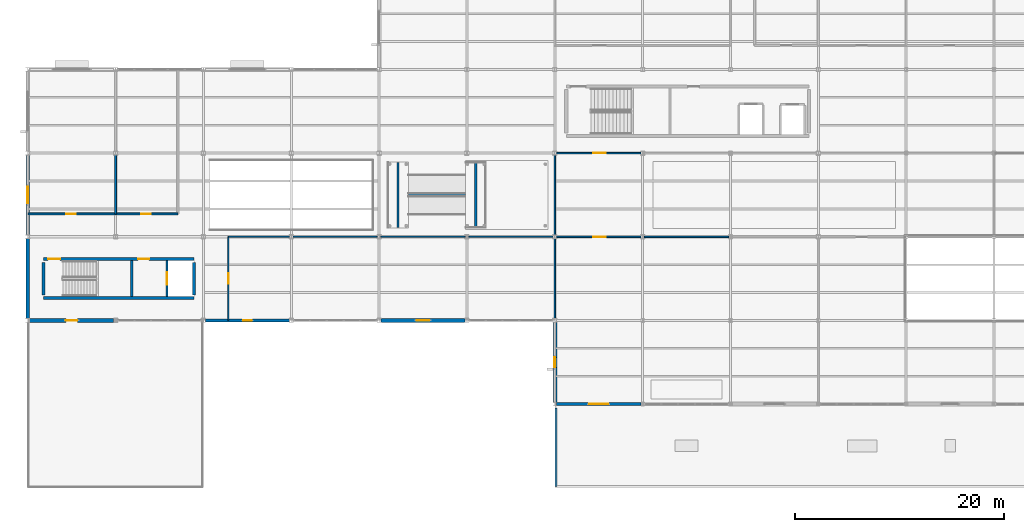
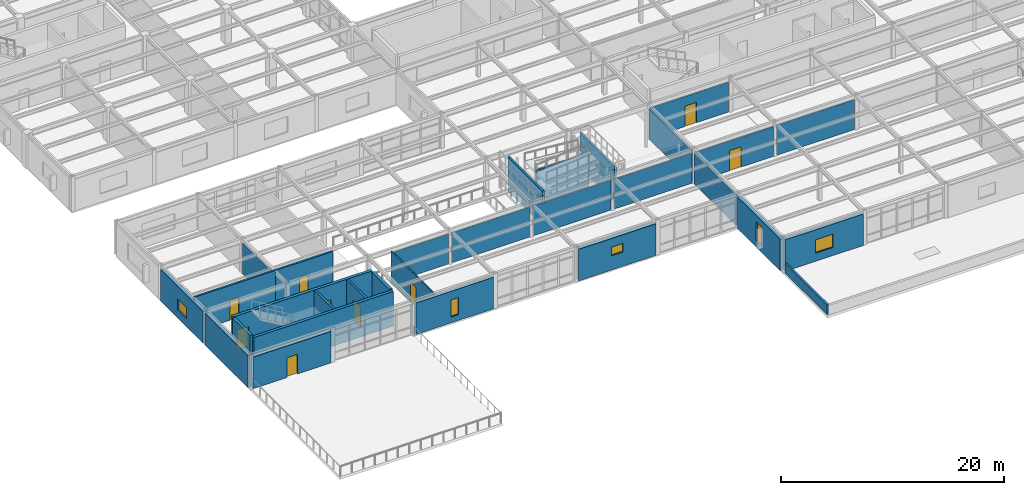
# One storey, part 68 of 138: 30 walls, 9 doors, 5 windows, 14 openings.
"""IFC4 building model written with IfcOpenShell, lengths in metres."""

from ifc_helpers import new_model, si_unit, direction, frame, frame_2d, origin, place, context, subcontext, project, spatial, rectangle, extrude, material, layer, layer_set, type_object, element, fill, save


model = new_model("IFC4")

# Units and contexts
model_context = context("Model", 3, precision=1e-05, world=origin(), true_north=direction((0.0, 1.0)))
body_context = subcontext(model_context, "Body", "Model", "MODEL_VIEW")
ifc_project = project(units=[si_unit("LENGTHUNIT", "METRE"), si_unit("AREAUNIT", "SQUARE_METRE"), si_unit("VOLUMEUNIT", "CUBIC_METRE"), si_unit("PLANEANGLEUNIT", "RADIAN"), si_unit("MASSUNIT", "GRAM", prefix="KILO")], contexts=[model_context])

# Site, building, storey
site_placement = place(None, origin())
site = spatial("IfcSite", under=ifc_project, at=site_placement, CompositionType="ELEMENT")
building_placement = place(site_placement, origin())
building = spatial("IfcBuilding", under=site, at=building_placement, Name="Kranzveld Transit Interchange", CompositionType="ELEMENT")
storey_placement = place(building_placement, frame((0.0, 0.0, 5.43994140625)))
storey = spatial("IfcBuildingStorey", under=building, at=storey_placement, Name="L01", CompositionType="ELEMENT", Elevation=5.43994140625)

# Wall, opening, door
ifc_material_1 = material(Name="Clay masonry unit wall, 20 MPa", Category="masonry")
ifc_layer_1 = layer(ifc_material_1, 0.139892578125)
ifc_layer_set_1 = layer_set([ifc_layer_1], Name="Clay masonry unit wall, 20 MPa")
wall_type_1 = type_object("IfcWallType", Name="Acoustic Stud Partition 140", PredefinedType="PARTITIONING", material=ifc_layer_set_1)
wall_1_placement = place(storey_placement, frame((50.577392578125, 32.0, 0.0), z_axis=(0.0, 0.0, 1.0), x_axis=(1.0, 0.0, 0.0)))
wall_1 = element("IfcWall", 1, at=wall_1_placement, inside=storey, type_object=wall_type_1, Name="L01 Partition IW-L01-L01V2N-FRT-131-0", PredefinedType="PARTITIONING", context=body_context, shape_type="SweptSolid", body=[
    extrude(rectangle(XDim=8.04541015625, YDim=0.139892578125, at=frame_2d((4.022705078125, 0.0))), origin(), (0.0, 0.0, 1.0), 3.260498046875),
])
opening_1_placement = place(wall_1_placement, frame((4.70263671875, 0.0, 0.0), z_axis=(0.0, 0.0, 1.0), x_axis=(-1.0, 0.0, 0.0)))
opening_1 = element("IfcOpeningElement", 2, at=opening_1_placement, cuts=wall_1, Name="Opening D-131", PredefinedType="OPENING", context=body_context, shape_type="SweptSolid", body=[
    extrude(rectangle(XDim=1.179931640625, YDim=2.219970703125, at=frame_2d((0.58984375, 1.10986328125))), frame((0.0, 0.079833984375, 0.0), z_axis=(0.0, -1.0, 0.0), x_axis=(1.0, 0.0, 0.0)), (0.0, 0.0, 1.0), 0.159912109375),
])
ifc_material_2 = material(Name="Bronze-anodised thermally broken aluminium", Category="aluminium")
door_type_1 = type_object("IfcDoorType", Name="Boardroom Acoustic Door 1180x2220", OperationType="NOTDEFINED", PredefinedType="DOOR", material=ifc_material_2)
door_1_placement = place(opening_1_placement, origin())
door_1 = element("IfcDoor", 3, at=door_1_placement, inside=storey, type_object=door_type_1, Name="L01 Interior Door D-131", OperationType="SINGLE_SWING_LEFT", OverallHeight=2.219970703125, OverallWidth=1.179931640625, PredefinedType="DOOR", context=body_context, shape_type="SweptSolid", body=[
    extrude(rectangle(XDim=1.179931640625, YDim=2.219970703125, at=frame_2d((0.58984375, 1.10986328125))), frame((0.0, 0.02490234375, 0.0), z_axis=(0.0, -1.0, 0.0), x_axis=(1.0, 0.0, 0.0)), (0.0, 0.0, 1.0), 0.050048828125),
])
fill(opening_1, door_1)

wall_2_placement = place(storey_placement, frame((50.577392578125, 24.0, 0.0), z_axis=(0.0, 0.0, 1.0), x_axis=(1.0, 0.0, 0.0)))
wall_2 = element("IfcWall", 4, at=wall_2_placement, inside=storey, type_object=wall_type_1, Name="L01 Partition IW-L01-L01V2S-FRT-109-0", PredefinedType="PARTITIONING", context=body_context, shape_type="SweptSolid", body=[
    extrude(rectangle(XDim=8.04541015625, YDim=0.139892578125, at=frame_2d((4.022705078125, 0.0))), origin(), (0.0, 0.0, 1.0), 3.260498046875),
])
opening_2_placement = place(wall_2_placement, frame((4.70263671875, 0.0, 0.0), z_axis=(0.0, 0.0, 1.0), x_axis=(-1.0, 0.0, 0.0)))
opening_2 = element("IfcOpeningElement", 5, at=opening_2_placement, cuts=wall_2, Name="Opening D-109", PredefinedType="OPENING", context=body_context, shape_type="SweptSolid", body=[
    extrude(rectangle(XDim=1.179931640625, YDim=2.219970703125, at=frame_2d((0.58984375, 1.10986328125))), frame((0.0, 0.079833984375, 0.0), z_axis=(0.0, -1.0, 0.0), x_axis=(1.0, 0.0, 0.0)), (0.0, 0.0, 1.0), 0.159912109375),
])
door_2_placement = place(opening_2_placement, origin())
door_2 = element("IfcDoor", 6, at=door_2_placement, inside=storey, type_object=door_type_1, Name="L01 Interior Door D-109", OperationType="SINGLE_SWING_LEFT", OverallHeight=2.219970703125, OverallWidth=1.179931640625, PredefinedType="DOOR", context=body_context, shape_type="SweptSolid", body=[
    extrude(rectangle(XDim=1.179931640625, YDim=2.219970703125, at=frame_2d((0.58984375, 1.10986328125))), frame((0.0, 0.02490234375, 0.0), z_axis=(0.0, -1.0, 0.0), x_axis=(1.0, 0.0, 0.0)), (0.0, 0.0, 1.0), 0.050048828125),
])
fill(opening_2, door_2)

# Walls
wall_3_placement = place(storey_placement, frame((58.977294921875, 24.0, 0.0), z_axis=(0.0, 0.0, 1.0), x_axis=(1.0, 0.0, 0.0)))
element("IfcWall", 7, at=wall_3_placement, inside=storey, type_object=wall_type_1, Name="L01 Partition IW-L01-L01V2N-BCK-131-1", PredefinedType="PARTITIONING", context=body_context, shape_type="SweptSolid", body=[
    extrude(rectangle(XDim=8.04541015625, YDim=0.139892578125, at=frame_2d((4.022705078125, 0.0))), origin(), (0.0, 0.0, 1.0), 3.260498046875),
])
for number, where, z_axis, x_axis, name in (
    (8, (50.39990234375, 24.17724609375, 0.0), (0.0, 0.0, 1.0), (0.0, 1.0, 0.0), "L01 Partition IW-L01-L01V2N-W-131-0"),
    (9, (50.39990234375, 16.17724609375, 0.0), (0.0, 0.0, 1.0), (0.0, 1.0, 0.0), "L01 Partition IW-L01-L01V2S-W-109-1"),
):
    element("IfcWall", number, at=place(storey_placement, frame(where, z_axis=z_axis, x_axis=x_axis)), inside=storey, type_object=wall_type_1, Name=name, PredefinedType="PARTITIONING", context=body_context, shape_type="SweptSolid", body=[
        extrude(rectangle(XDim=7.6455078125, YDim=0.139892578125, at=frame_2d((3.82275390625, 0.0))), origin(), (0.0, 0.0, 1.0), 3.336669921875),
    ])
ifc_material_3 = material(Name="Concrete C40/50", Category="concrete")
ifc_layer_2 = layer(ifc_material_3, 0.300048828125)
ifc_layer_set_2 = layer_set([ifc_layer_2], Name="Concrete C40/50")
wall_type_2 = type_object("IfcWallType", Name="Core Shear Wall RC 300 C40/50", PredefinedType="SHEAR", material=ifc_layer_set_2)
wall_4_placement = place(storey_placement, frame((1.5, 18.139892578125, 0.0), z_axis=(0.0, 0.0, 1.0), x_axis=(1.0, 0.0, 0.0)))
element("IfcWall", 10, at=wall_4_placement, inside=storey, type_object=wall_type_2, Name="L01 Cycle Hub Core C7 Shear Wall S", PredefinedType="SHEAR", context=body_context, shape_type="SweptSolid", body=[
    extrude(rectangle(XDim=14.39990234375, YDim=0.300048828125, at=frame_2d((7.199951171875, 0.0))), origin(), (0.0, 0.0, 1.0), 3.800048828125),
])

# Wall, openings, doors
wall_5_placement = place(storey_placement, frame((1.5, 21.860107421875, 0.0), z_axis=(0.0, 0.0, 1.0), x_axis=(1.0, 0.0, 0.0)))
wall_5 = element("IfcWall", 11, at=wall_5_placement, inside=storey, type_object=wall_type_2, Name="L01 Cycle Hub Core C7 Shear Wall N", PredefinedType="SHEAR", context=body_context, shape_type="SweptSolid", body=[
    extrude(rectangle(XDim=14.39990234375, YDim=0.300048828125, at=frame_2d((7.199951171875, 0.0))), origin(), (0.0, 0.0, 1.0), 3.800048828125),
])
opening_3_placement = place(wall_5_placement, frame((0.449951171875, 0.0, 0.0), z_axis=(0.0, 0.0, 1.0), x_axis=(1.0, 0.0, 0.0)))
opening_3 = element("IfcOpeningElement", 12, at=opening_3_placement, cuts=wall_5, Name="Opening D-ST-C7-L01", PredefinedType="OPENING", context=body_context, shape_type="SweptSolid", body=[
    extrude(rectangle(XDim=1.14990234375, YDim=2.14990234375, at=frame_2d((0.574951171875, 1.074951171875))), frame((0.0, 0.159912109375, 0.0), z_axis=(0.0, -1.0, 0.0), x_axis=(1.0, 0.0, 0.0)), (0.0, 0.0, 1.0), 0.320068359375),
])
opening_4_placement = place(wall_5_placement, frame((9.050048828125, 0.0, 0.0), z_axis=(0.0, 0.0, 1.0), x_axis=(1.0, 0.0, 0.0)))
opening_4 = element("IfcOpeningElement", 13, at=opening_4_placement, cuts=wall_5, Name="Opening D-LB-C7-L01", PredefinedType="OPENING", context=body_context, shape_type="SweptSolid", body=[
    extrude(rectangle(XDim=1.050048828125, YDim=2.14990234375, at=frame_2d((0.52490234375, 1.074951171875))), frame((0.0, 0.159912109375, 0.0), z_axis=(0.0, -1.0, 0.0), x_axis=(1.0, 0.0, 0.0)), (0.0, 0.0, 1.0), 0.320068359375),
])
ifc_material_4 = material(Name="Steel S355JR", Category="steel")
door_type_2 = type_object("IfcDoorType", Name="Lift Lobby Fire Door 1050x2150 FD120S", OperationType="NOTDEFINED", PredefinedType="DOOR", material=ifc_material_4)
door_3_placement = place(opening_4_placement, origin())
door_3 = element("IfcDoor", 14, at=door_3_placement, inside=storey, type_object=door_type_2, Name="L01 Cycle Hub Core C7 Lift Protected Lobby Door", OperationType="SINGLE_SWING_RIGHT", OverallHeight=2.14990234375, OverallWidth=1.050048828125, PredefinedType="DOOR", context=body_context, shape_type="SweptSolid", body=[
    extrude(rectangle(XDim=1.050048828125, YDim=2.14990234375, at=frame_2d((0.52490234375, 1.074951171875))), frame((0.0, 0.02490234375, 0.0), z_axis=(0.0, -1.0, 0.0), x_axis=(1.0, 0.0, 0.0)), (0.0, 0.0, 1.0), 0.050048828125),
])
fill(opening_4, door_3)
ifc_material_5 = material(Name="Steel S355JR", Category="steel")
door_type_3 = type_object("IfcDoorType", Name="Stair Core Fire Door 1150x2150 FD120S", OperationType="NOTDEFINED", PredefinedType="DOOR", material=ifc_material_5)
door_4_placement = place(opening_3_placement, origin())
door_4 = element("IfcDoor", 15, at=door_4_placement, inside=storey, type_object=door_type_3, Name="L01 ST-CY1 Protected Stair Door", OperationType="SINGLE_SWING_RIGHT", OverallHeight=2.14990234375, OverallWidth=1.14990234375, PredefinedType="DOOR", context=body_context, shape_type="SweptSolid", body=[
    extrude(rectangle(XDim=1.14990234375, YDim=2.14990234375, at=frame_2d((0.574951171875, 1.074951171875))), frame((0.0, 0.02490234375, 0.0), z_axis=(0.0, -1.0, 0.0), x_axis=(1.0, 0.0, 0.0)), (0.0, 0.0, 1.0), 0.050048828125),
])
fill(opening_3, door_4)

# Walls
for number, where, z_axis, x_axis, name in (
    (16, (1.5, 18.43994140625, 0.0), (0.0, 0.0, 1.0), (0.0, 1.0, 0.0), "L01 Cycle Hub Core C7 Shear Wall W"),
    (17, (15.89990234375, 18.43994140625, 0.0), (0.0, 0.0, 1.0), (0.0, 1.0, 0.0), "L01 Cycle Hub Core C7 Shear Wall E"),
):
    element("IfcWall", number, at=place(storey_placement, frame(where, z_axis=z_axis, x_axis=x_axis)), inside=storey, type_object=wall_type_2, Name=name, PredefinedType="SHEAR", context=body_context, shape_type="SweptSolid", body=[
        extrude(rectangle(XDim=3.1201171875, YDim=0.300048828125, at=frame_2d((1.56005859375, 0.0))), origin(), (0.0, 0.0, 1.0), 3.800048828125),
    ])

# Wall, opening, window
ifc_material_6 = material(Name="Pretoria red-purple clinker clay face brick, 35 MPa", Category="masonry")
ifc_layer_3 = layer(ifc_material_6, 0.3798828125)
ifc_layer_set_3 = layer_set([ifc_layer_3], Name="Pretoria red-purple clinker clay face brick, 35 MPa")
wall_type_3 = type_object("IfcWallType", Name="Exterior Cavity Wall Red Clinker 380", PredefinedType="SOLIDWALL", material=ifc_layer_set_3)
wall_6_placement = place(storey_placement, frame((50.39990234375, 8.160400390625, 0.0), z_axis=(0.0, 0.0, 1.0), x_axis=(0.0, 1.0, 0.0)))
wall_6 = element("IfcWall", 18, at=wall_6_placement, inside=storey, type_object=wall_type_3, Name="L01 Clinker Facade Wall 07/B-07/C", PredefinedType="SOLIDWALL", context=body_context, shape_type="SweptSolid", body=[
    extrude(rectangle(XDim=7.65234375, YDim=0.3798828125, at=frame_2d((3.826171875, 0.0))), origin(), (0.0, 0.0, 1.0), 3.442138671875),
])
opening_5_placement = place(wall_6_placement, frame((3.351318359375, 0.0, 0.64990234375), z_axis=(0.0, 0.0, 1.0), x_axis=(1.0, 0.0, 0.0)))
opening_5 = element("IfcOpeningElement", 19, at=opening_5_placement, cuts=wall_6, Name="Opening W-17", PredefinedType="OPENING", context=body_context, shape_type="SweptSolid", body=[
    extrude(rectangle(XDim=0.949951171875, YDim=2.10009765625, at=frame_2d((0.47509765625, 1.050048828125))), frame((0.0, 0.199951171875, 0.0), z_axis=(0.0, -1.0, 0.0), x_axis=(1.0, 0.0, 0.0)), (0.0, 0.0, 1.0), 0.39990234375),
])
ifc_material_7 = material(Name="Solar-control double glazing", Category="glass")
window_type_1 = type_object("IfcWindowType", Name="Window Ladder Slot 950x2100", PartitioningType="SINGLE_PANEL", PredefinedType="WINDOW", material=ifc_material_7)
window_1_placement = place(opening_5_placement, origin())
window_1 = element("IfcWindow", 20, at=window_1_placement, inside=storey, type_object=window_type_1, Name="L01 Facade Window 07/B", OverallHeight=2.10009765625, OverallWidth=0.949951171875, PartitioningType="SINGLE_PANEL", PredefinedType="WINDOW", context=body_context, shape_type="SweptSolid", body=[
    extrude(rectangle(XDim=0.949951171875, YDim=2.10009765625, at=frame_2d((0.47509765625, 1.050048828125))), frame((0.0, 0.030029296875, 0.0), z_axis=(0.0, -1.0, 0.0), x_axis=(1.0, 0.0, 0.0)), (0.0, 0.0, 1.0), 0.06005859375),
])
fill(opening_5, window_1)

# Wall, opening, door
wall_7_placement = place(storey_placement, frame((0.187255859375, 16.0, 0.0), z_axis=(0.0, 0.0, 1.0), x_axis=(1.0, 0.0, 0.0)))
wall_7 = element("IfcWall", 21, at=wall_7_placement, inside=storey, type_object=wall_type_3, Name="L01 Clinker Facade Wall 01/C-02/C", PredefinedType="SOLIDWALL", context=body_context, shape_type="SweptSolid", body=[
    extrude(rectangle(XDim=8.025390625, YDim=0.3798828125, at=frame_2d((4.0126953125, 0.0))), origin(), (0.0, 0.0, 1.0), 3.449951171875),
])
opening_6_placement = place(wall_7_placement, frame((4.562744140625, 0.0, 0.0), z_axis=(0.0, 0.0, 1.0), x_axis=(-1.0, 0.0, 0.0)))
opening_6 = element("IfcOpeningElement", 22, at=opening_6_placement, cuts=wall_7, Name="Opening ED-L01-15", PredefinedType="OPENING", context=body_context, shape_type="SweptSolid", body=[
    extrude(rectangle(XDim=1.10009765625, YDim=2.14990234375, at=frame_2d((0.550048828125, 1.074951171875))), frame((0.0, 0.199951171875, 0.0), z_axis=(0.0, -1.0, 0.0), x_axis=(1.0, 0.0, 0.0)), (0.0, 0.0, 1.0), 0.39990234375),
])
ifc_material_8 = material(Name="Bronze-anodised thermally broken aluminium", Category="aluminium")
door_type_4 = type_object("IfcDoorType", Name="Terrace Single Access Door 1100x2150", OperationType="NOTDEFINED", PredefinedType="DOOR", material=ifc_material_8)
door_5_placement = place(opening_6_placement, origin())
door_5 = element("IfcDoor", 23, at=door_5_placement, inside=storey, type_object=door_type_4, Name="L01 Terrace Door TERR_L01_SW", OperationType="SINGLE_SWING_LEFT", OverallHeight=2.14990234375, OverallWidth=1.10009765625, PredefinedType="DOOR", context=body_context, shape_type="SweptSolid", body=[
    extrude(rectangle(XDim=1.10009765625, YDim=2.14990234375, at=frame_2d((0.550048828125, 1.074951171875))), frame((0.0, 0.02490234375, 0.0), z_axis=(0.0, -1.0, 0.0), x_axis=(1.0, 0.0, 0.0)), (0.0, 0.0, 1.0), 0.050048828125),
])
fill(opening_6, door_5)

# Wall, opening, window
wall_8_placement = place(storey_placement, frame((33.787353515625, 16.0, 0.0), z_axis=(0.0, 0.0, 1.0), x_axis=(1.0, 0.0, 0.0)))
wall_8 = element("IfcWall", 24, at=wall_8_placement, inside=storey, type_object=wall_type_3, Name="L01 Clinker Facade Wall 05/C-06/C", PredefinedType="SOLIDWALL", context=body_context, shape_type="SweptSolid", body=[
    extrude(rectangle(XDim=8.025390625, YDim=0.3798828125, at=frame_2d((4.0126953125, 0.0))), origin(), (0.0, 0.0, 1.0), 3.449951171875),
])
opening_7_placement = place(wall_8_placement, frame((3.41259765625, 0.0, 1.550048828125), z_axis=(0.0, 0.0, 1.0), x_axis=(1.0, 0.0, 0.0)))
opening_7 = element("IfcOpeningElement", 25, at=opening_7_placement, cuts=wall_8, Name="Opening W-19", PredefinedType="OPENING", context=body_context, shape_type="SweptSolid", body=[
    extrude(rectangle(XDim=1.199951171875, YDim=0.949951171875, at=frame_2d((0.60009765625, 0.47509765625))), frame((0.0, 0.199951171875, 0.0), z_axis=(0.0, -1.0, 0.0), x_axis=(1.0, 0.0, 0.0)), (0.0, 0.0, 1.0), 0.39990234375),
])
ifc_material_9 = material(Name="Solar-control double glazing", Category="glass")
window_type_2 = type_object("IfcWindowType", Name="Window Sanitary Frosted 1200x950", PartitioningType="SINGLE_PANEL", PredefinedType="WINDOW", material=ifc_material_9)
window_2_placement = place(opening_7_placement, origin())
window_2 = element("IfcWindow", 26, at=window_2_placement, inside=storey, type_object=window_type_2, Name="L01 Facade Window 05/C", OverallHeight=0.949951171875, OverallWidth=1.199951171875, PartitioningType="SINGLE_PANEL", PredefinedType="WINDOW", context=body_context, shape_type="SweptSolid", body=[
    extrude(rectangle(XDim=1.199951171875, YDim=0.949951171875, at=frame_2d((0.60009765625, 0.47509765625))), frame((0.0, 0.030029296875, 0.0), z_axis=(0.0, -1.0, 0.0), x_axis=(1.0, 0.0, 0.0)), (0.0, 0.0, 1.0), 0.06005859375),
])
fill(opening_7, window_2)

# Wall
wall_9_placement = place(storey_placement, frame((0.0, 16.187255859375, 0.0), z_axis=(0.0, 0.0, 1.0), x_axis=(0.0, 1.0, 0.0)))
element("IfcWall", 27, at=wall_9_placement, inside=storey, type_object=wall_type_3, Name="L01 Clinker Facade Wall 01/C-01/D", PredefinedType="SOLIDWALL", context=body_context, shape_type="SweptSolid", body=[
    extrude(rectangle(XDim=7.62548828125, YDim=0.3798828125, at=frame_2d((3.812744140625, 0.0))), origin(), (0.0, 0.0, 1.0), 3.5),
])

# Wall, opening, window
wall_10_placement = place(storey_placement, frame((0.0, 24.187255859375, 0.0), z_axis=(0.0, 0.0, 1.0), x_axis=(0.0, 1.0, 0.0)))
wall_10 = element("IfcWall", 28, at=wall_10_placement, inside=storey, type_object=wall_type_3, Name="L01 Clinker Facade Wall 01/D-01/E", PredefinedType="SOLIDWALL", context=body_context, shape_type="SweptSolid", body=[
    extrude(rectangle(XDim=7.62548828125, YDim=0.3798828125, at=frame_2d((3.812744140625, 0.0))), origin(), (0.0, 0.0, 1.0), 3.442138671875),
])
opening_8_placement = place(wall_10_placement, frame((3.0126953125, 0.0, 0.89990234375), z_axis=(0.0, 0.0, 1.0), x_axis=(1.0, 0.0, 0.0)))
opening_8 = element("IfcOpeningElement", 29, at=opening_8_placement, cuts=wall_10, Name="Opening W-20", PredefinedType="OPENING", context=body_context, shape_type="SweptSolid", body=[
    extrude(rectangle(XDim=1.60009765625, YDim=1.199951171875, at=frame_2d((0.800048828125, 0.60009765625))), frame((0.0, 0.199951171875, 0.0), z_axis=(0.0, -1.0, 0.0), x_axis=(1.0, 0.0, 0.0)), (0.0, 0.0, 1.0), 0.39990234375),
])
ifc_material_10 = material(Name="Solar-control double glazing", Category="glass")
window_type_3 = type_object("IfcWindowType", Name="Window Technical Glazed 1600x1200", PartitioningType="DOUBLE_PANEL_VERTICAL", PredefinedType="WINDOW", material=ifc_material_10)
window_3_placement = place(opening_8_placement, origin())
window_3 = element("IfcWindow", 30, at=window_3_placement, inside=storey, type_object=window_type_3, Name="L01 Facade Window 01/D", OverallHeight=1.199951171875, OverallWidth=1.60009765625, PartitioningType="DOUBLE_PANEL_VERTICAL", PredefinedType="WINDOW", context=body_context, shape_type="SweptSolid", body=[
    extrude(rectangle(XDim=1.60009765625, YDim=1.199951171875, at=frame_2d((0.800048828125, 0.60009765625))), frame((0.0, 0.030029296875, 0.0), z_axis=(0.0, -1.0, 0.0), x_axis=(1.0, 0.0, 0.0)), (0.0, 0.0, 1.0), 0.06005859375),
])
fill(opening_8, window_3)

ifc_material_11 = material(Name="Ochre Pretoria sandstone cladding, 45 MPa", Category="masonry")
ifc_layer_4 = layer(ifc_material_11, 0.300048828125)
ifc_layer_set_4 = layer_set([ifc_layer_4], Name="Ochre Pretoria sandstone cladding, 45 MPa")
wall_type_4 = type_object("IfcWallType", Name="Exterior Sandstone Spandrel Wall 300", PredefinedType="SOLIDWALL", material=ifc_layer_set_4)
wall_11_placement = place(storey_placement, frame((16.9873046875, 16.0, 0.0), z_axis=(0.0, 0.0, 1.0), x_axis=(1.0, 0.0, 0.0)))
wall_11 = element("IfcWall", 31, at=wall_11_placement, inside=storey, type_object=wall_type_4, Name="L01 Clinker Facade Wall 03/C-04/C", PredefinedType="SOLIDWALL", context=body_context, shape_type="SweptSolid", body=[
    extrude(rectangle(XDim=8.025390625, YDim=0.300048828125, at=frame_2d((4.0126953125, 0.0))), origin(), (0.0, 0.0, 1.0), 3.449951171875),
])
opening_9_placement = place(wall_11_placement, frame((3.61279296875, 0.0, 0.64990234375), z_axis=(0.0, 0.0, 1.0), x_axis=(1.0, 0.0, 0.0)))
opening_9 = element("IfcOpeningElement", 32, at=opening_9_placement, cuts=wall_11, Name="Opening W-18", PredefinedType="OPENING", context=body_context, shape_type="SweptSolid", body=[
    extrude(rectangle(XDim=0.800048828125, YDim=1.85009765625, at=frame_2d((0.39990234375, 0.925048828125))), frame((0.0, 0.159912109375, 0.0), z_axis=(0.0, -1.0, 0.0), x_axis=(1.0, 0.0, 0.0)), (0.0, 0.0, 1.0), 0.320068359375),
])
ifc_material_12 = material(Name="Solar-control double glazing", Category="glass")
window_type_4 = type_object("IfcWindowType", Name="Window Ladder Slot 800x1850", PartitioningType="SINGLE_PANEL", PredefinedType="WINDOW", material=ifc_material_12)
window_4_placement = place(opening_9_placement, origin())
window_4 = element("IfcWindow", 33, at=window_4_placement, inside=storey, type_object=window_type_4, Name="L01 Facade Window 03/C", OverallHeight=1.85009765625, OverallWidth=0.800048828125, PartitioningType="SINGLE_PANEL", PredefinedType="WINDOW", context=body_context, shape_type="SweptSolid", body=[
    extrude(rectangle(XDim=0.800048828125, YDim=1.85009765625, at=frame_2d((0.39990234375, 0.925048828125))), frame((0.0, 0.030029296875, 0.0), z_axis=(0.0, -1.0, 0.0), x_axis=(1.0, 0.0, 0.0)), (0.0, 0.0, 1.0), 0.06005859375),
])
fill(opening_9, window_4)

wall_12_placement = place(storey_placement, frame((50.5546875, 8.0, 0.0), z_axis=(0.0, 0.0, 1.0), x_axis=(1.0, 0.0, 0.0)))
wall_12 = element("IfcWall", 34, at=wall_12_placement, inside=storey, type_object=wall_type_4, Name="L01 Clinker Facade Wall 07/B-08/B", PredefinedType="SOLIDWALL", context=body_context, shape_type="SweptSolid", body=[
    extrude(rectangle(XDim=8.0908203125, YDim=0.300048828125, at=frame_2d((4.04541015625, 0.0))), origin(), (0.0, 0.0, 1.0), 3.449951171875),
])
opening_10_placement = place(wall_12_placement, frame((3.1455078125, 0.0, 0.89990234375), z_axis=(0.0, 0.0, 1.0), x_axis=(1.0, 0.0, 0.0)))
opening_10 = element("IfcOpeningElement", 35, at=opening_10_placement, cuts=wall_12, Name="Opening W-11", PredefinedType="OPENING", context=body_context, shape_type="SweptSolid", body=[
    extrude(rectangle(XDim=1.800048828125, YDim=1.449951171875, at=frame_2d((0.89990234375, 0.72509765625))), frame((0.0, 0.159912109375, 0.0), z_axis=(0.0, -1.0, 0.0), x_axis=(1.0, 0.0, 0.0)), (0.0, 0.0, 1.0), 0.320068359375),
])
ifc_material_13 = material(Name="Solar-control double glazing", Category="glass")
window_type_5 = type_object("IfcWindowType", Name="Window Office Double 1800x1450", PartitioningType="DOUBLE_PANEL_VERTICAL", PredefinedType="WINDOW", material=ifc_material_13)
window_5_placement = place(opening_10_placement, origin())
window_5 = element("IfcWindow", 36, at=window_5_placement, inside=storey, type_object=window_type_5, Name="L01 Facade Window 07/B", OverallHeight=1.449951171875, OverallWidth=1.800048828125, PartitioningType="DOUBLE_PANEL_VERTICAL", PredefinedType="WINDOW", context=body_context, shape_type="SweptSolid", body=[
    extrude(rectangle(XDim=1.800048828125, YDim=1.449951171875, at=frame_2d((0.89990234375, 0.72509765625))), frame((0.0, 0.030029296875, 0.0), z_axis=(0.0, -1.0, 0.0), x_axis=(1.0, 0.0, 0.0)), (0.0, 0.0, 1.0), 0.06005859375),
])
fill(opening_10, window_5)

# Wall, opening, door
ifc_material_14 = material(Name="Clay masonry unit wall, 20 MPa", Category="masonry")
ifc_layer_5 = layer(ifc_material_14, 0.125)
ifc_layer_set_5 = layer_set([ifc_layer_5], Name="Clay masonry unit wall, 20 MPa")
wall_type_5 = type_object("IfcWallType", Name="Internal Blockwork Partition 125", PredefinedType="PARTITIONING", material=ifc_layer_set_5)
wall_13_placement = place(storey_placement, frame((19.179931640625, 16.0400390625, 0.0), z_axis=(0.0, 0.0, 1.0), x_axis=(0.0, 1.0, 0.0)))
wall_13 = element("IfcWall", 37, at=wall_13_placement, inside=storey, type_object=wall_type_5, Name="L01 Partition IW-L01-L01V3E-W-113-0", PredefinedType="PARTITIONING", context=body_context, shape_type="SweptSolid", body=[
    extrude(rectangle(XDim=7.9599609375, YDim=0.125, at=frame_2d((3.97998046875, 0.0))), origin(), (0.0, 0.0, 1.0), 3.442138671875),
])
opening_11_placement = place(wall_13_placement, frame((3.4599609375, 0.0, 0.0), z_axis=(0.0, 0.0, 1.0), x_axis=(1.0, 0.0, 0.0)))
opening_11 = element("IfcOpeningElement", 38, at=opening_11_placement, cuts=wall_13, Name="Opening D-113", PredefinedType="OPENING", context=body_context, shape_type="SweptSolid", body=[
    extrude(rectangle(XDim=1.02001953125, YDim=2.159912109375, at=frame_2d((0.510009765625, 1.080078125))), frame((0.0, 0.072509765625, 0.0), z_axis=(0.0, -1.0, 0.0), x_axis=(1.0, 0.0, 0.0)), (0.0, 0.0, 1.0), 0.14501953125),
])
ifc_material_15 = material(Name="Bronze-anodised thermally broken aluminium", Category="aluminium")
door_type_5 = type_object("IfcDoorType", Name="Studio Wide Door 1020x2160", OperationType="NOTDEFINED", PredefinedType="DOOR", material=ifc_material_15)
door_6_placement = place(opening_11_placement, origin())
door_6 = element("IfcDoor", 39, at=door_6_placement, inside=storey, type_object=door_type_5, Name="L01 Interior Door D-113", OperationType="SINGLE_SWING_LEFT", OverallHeight=2.159912109375, OverallWidth=1.02001953125, PredefinedType="DOOR", context=body_context, shape_type="SweptSolid", body=[
    extrude(rectangle(XDim=1.02001953125, YDim=2.159912109375, at=frame_2d((0.510009765625, 1.080078125))), frame((0.0, 0.02490234375, 0.0), z_axis=(0.0, -1.0, 0.0), x_axis=(1.0, 0.0, 0.0)), (0.0, 0.0, 1.0), 0.050048828125),
])
fill(opening_11, door_6)

# Walls
wall_14_placement = place(storey_placement, frame((19.179931640625, 24.0, 0.0), z_axis=(0.0, 0.0, 1.0), x_axis=(1.0, 0.0, 0.0)))
element("IfcWall", 40, at=wall_14_placement, inside=storey, type_object=wall_type_5, Name="L01 Partition IW-L01-L01V3E-N-113-0", PredefinedType="PARTITIONING", context=body_context, shape_type="SweptSolid", body=[
    extrude(rectangle(XDim=5.8427734375, YDim=0.125, at=frame_2d((2.92138671875, 0.0))), origin(), (0.0, 0.0, 1.0), 3.260498046875),
])
for number, where, z_axis, x_axis, name in (
    (41, (25.377197265625, 24.0, 0.0), (0.0, 0.0, 1.0), (1.0, 0.0, 0.0), "L01 Partition IW-L01-L01V3E-N-113-1"),
    (42, (33.77734375, 24.0, 0.0), (0.0, 0.0, 1.0), (1.0, 0.0, 0.0), "L01 Partition IW-L01-L01V3E-N-113-2"),
    (43, (42.17724609375, 24.0, 0.0), (0.0, 0.0, 1.0), (1.0, 0.0, 0.0), "L01 Partition IW-L01-L01V3E-N-113-3"),
):
    element("IfcWall", number, at=place(storey_placement, frame(where, z_axis=z_axis, x_axis=x_axis)), inside=storey, type_object=wall_type_5, Name=name, PredefinedType="PARTITIONING", context=body_context, shape_type="SweptSolid", body=[
        extrude(rectangle(XDim=8.04541015625, YDim=0.125, at=frame_2d((4.022705078125, 0.0))), origin(), (0.0, 0.0, 1.0), 3.260498046875),
    ])
ifc_material_16 = material(Name="Concrete C40/50", Category="concrete")
ifc_layer_6 = layer(ifc_material_16, 0.199951171875)
ifc_layer_set_6 = layer_set([ifc_layer_6], Name="Concrete C40/50")
wall_type_6 = type_object("IfcWallType", Name="Lift Shaft Enclosure Wall RC 200 EI120", PredefinedType="SHEAR", material=ifc_layer_set_6)
wall_15_placement = place(storey_placement, frame((9.949951171875, 18.2900390625, 0.0), z_axis=(0.0, 0.0, 1.0), x_axis=(0.0, 1.0, 0.0)))
element("IfcWall", 44, at=wall_15_placement, inside=storey, type_object=wall_type_6, Name="L01 Cycle Hub Core C7 Stair-Lobby Dividing Wall", PredefinedType="SHEAR", context=body_context, shape_type="SweptSolid", body=[
    extrude(rectangle(XDim=3.419921875, YDim=0.199951171875, at=frame_2d((1.7099609375, 0.0))), origin(), (0.0, 0.0, 1.0), 3.800048828125),
])

# Wall, opening, door
wall_16_placement = place(storey_placement, frame((13.324951171875, 18.2900390625, 0.0), z_axis=(0.0, 0.0, 1.0), x_axis=(0.0, 1.0, 0.0)))
wall_16 = element("IfcWall", 45, at=wall_16_placement, inside=storey, type_object=wall_type_6, Name="L01 LF-CY1 Shaft Front Wall", PredefinedType="SHEAR", context=body_context, shape_type="SweptSolid", body=[
    extrude(rectangle(XDim=3.419921875, YDim=0.199951171875, at=frame_2d((1.7099609375, 0.0))), origin(), (0.0, 0.0, 1.0), 3.800048828125),
])
opening_12_placement = place(wall_16_placement, frame((1.110107421875, 0.0, 0.0), z_axis=(0.0, 0.0, 1.0), x_axis=(1.0, 0.0, 0.0)))
opening_12 = element("IfcOpeningElement", 46, at=opening_12_placement, cuts=wall_16, Name="Opening LD-LF-CY1-L01", PredefinedType="OPENING", context=body_context, shape_type="SweptSolid", body=[
    extrude(rectangle(XDim=1.199951171875, YDim=2.199951171875, at=frame_2d((0.60009765625, 1.10009765625))), frame((0.0, 0.10986328125, 0.0), z_axis=(0.0, -1.0, 0.0), x_axis=(1.0, 0.0, 0.0)), (0.0, 0.0, 1.0), 0.219970703125),
])
ifc_material_17 = material(Name="Steel S355JR", Category="steel")
door_type_6 = type_object("IfcDoorType", Name="Cycle Lift Sliding Door 1200x2200 FD120S", OperationType="NOTDEFINED", PredefinedType="DOOR", material=ifc_material_17)
door_7_placement = place(opening_12_placement, origin())
door_7 = element("IfcDoor", 47, at=door_7_placement, inside=storey, type_object=door_type_6, Name="L01 LF-CY1 Sliding Landing Door", OperationType="DOUBLE_DOOR_SLIDING", OverallHeight=2.199951171875, OverallWidth=1.199951171875, PredefinedType="DOOR", context=body_context, shape_type="SweptSolid", body=[
    extrude(rectangle(XDim=1.199951171875, YDim=2.199951171875, at=frame_2d((0.60009765625, 1.10009765625))), frame((0.0, 0.02490234375, 0.0), z_axis=(0.0, -1.0, 0.0), x_axis=(1.0, 0.0, 0.0)), (0.0, 0.0, 1.0), 0.050048828125),
])
fill(opening_12, door_7)

# Walls
wall_17_placement = place(storey_placement, frame((36.39990234375, 28.0, 0.0), z_axis=(0.0, 0.0, 1.0), x_axis=(1.0, 0.0, 0.0)))
element("IfcWall", 48, at=wall_17_placement, inside=storey, type_object=wall_type_6, Name="L01 RMP-2 Central Ramp Spine Wall", PredefinedType="SHEAR", context=body_context, shape_type="SweptSolid", body=[
    extrude(rectangle(XDim=5.440185546875, YDim=0.199951171875, at=frame_2d((2.72021484375, 0.0))), origin(), (0.0, 0.0, 1.0), 3.800048828125),
])
for number, where, z_axis, x_axis, name in (
    (49, (35.39990234375, 24.89990234375, 0.0), (0.0, 0.0, 1.0), (0.0, 1.0, 0.0), "L01 RMP-2 Ramp Bearing Wall W"),
    (50, (42.840087890625, 24.89990234375, 0.0), (0.0, 0.0, 1.0), (0.0, 1.0, 0.0), "L01 RMP-2 Ramp Bearing Wall E"),
):
    element("IfcWall", number, at=place(storey_placement, frame(where, z_axis=z_axis, x_axis=x_axis)), inside=storey, type_object=wall_type_6, Name=name, PredefinedType="SHEAR", context=body_context, shape_type="SweptSolid", body=[
        extrude(rectangle(XDim=6.2001953125, YDim=0.199951171875, at=frame_2d((3.10009765625, 0.0))), origin(), (0.0, 0.0, 1.0), 3.800048828125),
    ])

# Wall, opening, door
ifc_material_18 = material(Name="Clay masonry unit wall, 20 MPa", Category="masonry")
ifc_layer_7 = layer(ifc_material_18, 0.18994140625)
ifc_layer_set_7 = layer_set([ifc_layer_7], Name="Clay masonry unit wall, 20 MPa")
wall_type_7 = type_object("IfcWallType", Name="Sanitary Plumbing Wall 190", PredefinedType="PLUMBINGWALL", material=ifc_layer_set_7)
wall_18_placement = place(storey_placement, frame((0.0400390625, 26.199951171875, 0.0), z_axis=(0.0, 0.0, 1.0), x_axis=(1.0, 0.0, 0.0)))
wall_18 = element("IfcWall", 51, at=wall_18_placement, inside=storey, type_object=wall_type_7, Name="L01 Partition IW-L01-L01V3N-FRT-115-0", PredefinedType="PLUMBINGWALL", context=body_context, shape_type="SweptSolid", body=[
    extrude(rectangle(XDim=8.35986328125, YDim=0.18994140625, at=frame_2d((4.179931640625, 0.0))), origin(), (0.0, 0.0, 1.0), 3.800048828125),
])
opening_13_placement = place(wall_18_placement, frame((4.559814453125, 0.0, 0.0), z_axis=(0.0, 0.0, 1.0), x_axis=(-1.0, 0.0, 0.0)))
opening_13 = element("IfcOpeningElement", 52, at=opening_13_placement, cuts=wall_18, Name="Opening D-115", PredefinedType="OPENING", context=body_context, shape_type="SweptSolid", body=[
    extrude(rectangle(XDim=0.89990234375, YDim=2.14990234375, at=frame_2d((0.449951171875, 1.074951171875))), frame((0.0, 0.10498046875, 0.0), z_axis=(0.0, -1.0, 0.0), x_axis=(1.0, 0.0, 0.0)), (0.0, 0.0, 1.0), 0.2099609375),
])
ifc_material_19 = material(Name="Steel S355JR", Category="steel")
door_type_7 = type_object("IfcDoorType", Name="Sanitary Cubicle Lobby Door 900x2150", OperationType="NOTDEFINED", PredefinedType="DOOR", material=ifc_material_19)
door_8_placement = place(opening_13_placement, origin())
door_8 = element("IfcDoor", 53, at=door_8_placement, inside=storey, type_object=door_type_7, Name="L01 Interior Door D-115", OperationType="SINGLE_SWING_LEFT", OverallHeight=2.14990234375, OverallWidth=0.89990234375, PredefinedType="DOOR", context=body_context, shape_type="SweptSolid", body=[
    extrude(rectangle(XDim=0.89990234375, YDim=2.14990234375, at=frame_2d((0.449951171875, 1.074951171875))), frame((0.0, 0.02490234375, 0.0), z_axis=(0.0, -1.0, 0.0), x_axis=(1.0, 0.0, 0.0)), (0.0, 0.0, 1.0), 0.050048828125),
])
fill(opening_13, door_8)

wall_19_placement = place(storey_placement, frame((8.39990234375, 26.199951171875, 0.0), z_axis=(0.0, 0.0, 1.0), x_axis=(1.0, 0.0, 0.0)))
wall_19 = element("IfcWall", 54, at=wall_19_placement, inside=storey, type_object=wall_type_7, Name="L01 Partition IW-L01-L01V3N-FRT-116-0", PredefinedType="PLUMBINGWALL", context=body_context, shape_type="SweptSolid", body=[
    extrude(rectangle(XDim=5.9501953125, YDim=0.18994140625, at=frame_2d((2.97509765625, 0.0))), origin(), (0.0, 0.0, 1.0), 3.800048828125),
])
opening_14_placement = place(wall_19_placement, frame((3.375, 0.0, 0.0), z_axis=(0.0, 0.0, 1.0), x_axis=(-1.0, 0.0, 0.0)))
opening_14 = element("IfcOpeningElement", 55, at=opening_14_placement, cuts=wall_19, Name="Opening D-116", PredefinedType="OPENING", context=body_context, shape_type="SweptSolid", body=[
    extrude(rectangle(XDim=0.89990234375, YDim=2.14990234375, at=frame_2d((0.449951171875, 1.074951171875))), frame((0.0, 0.10498046875, 0.0), z_axis=(0.0, -1.0, 0.0), x_axis=(1.0, 0.0, 0.0)), (0.0, 0.0, 1.0), 0.2099609375),
])
door_9_placement = place(opening_14_placement, origin())
door_9 = element("IfcDoor", 56, at=door_9_placement, inside=storey, type_object=door_type_7, Name="L01 Interior Door D-116", OperationType="SINGLE_SWING_RIGHT", OverallHeight=2.14990234375, OverallWidth=0.89990234375, PredefinedType="DOOR", context=body_context, shape_type="SweptSolid", body=[
    extrude(rectangle(XDim=0.89990234375, YDim=2.14990234375, at=frame_2d((0.449951171875, 1.074951171875))), frame((0.0, 0.02490234375, 0.0), z_axis=(0.0, -1.0, 0.0), x_axis=(1.0, 0.0, 0.0)), (0.0, 0.0, 1.0), 0.050048828125),
])
fill(opening_14, door_9)

# Walls
wall_20_placement = place(storey_placement, frame((8.39990234375, 26.199951171875, 0.0), z_axis=(0.0, 0.0, 1.0), x_axis=(0.0, 1.0, 0.0)))
element("IfcWall", 57, at=wall_20_placement, inside=storey, type_object=wall_type_7, Name="L01 Partition IW-L01-L01V3N-MID-115-0", PredefinedType="PLUMBINGWALL", context=body_context, shape_type="SweptSolid", body=[
    extrude(rectangle(XDim=5.622802734375, YDim=0.18994140625, at=frame_2d((2.8115234375, 0.0))), origin(), (0.0, 0.0, 1.0), 3.336669921875),
])
ifc_material_20 = material(Name="Dark Pretoria clinker clay plinth brick, 40 MPa", Category="masonry")
ifc_layer_8 = layer(ifc_material_20, 0.215087890625)
ifc_layer_set_8 = layer_set([ifc_layer_8], Name="Dark Pretoria clinker clay plinth brick, 40 MPa")
wall_type_8 = type_object("IfcWallType", Name="Terrace Parapet Upstand Brick 215", PredefinedType="PARAPET", material=ifc_layer_set_8)
wall_21_placement = place(storey_placement, frame((50.52001953125, 0.1201171875, 0.0), z_axis=(0.0, 0.0, 1.0), x_axis=(0.0, 1.0, 0.0)))
element("IfcWall", 58, at=wall_21_placement, inside=storey, type_object=wall_type_8, Name="L01 Roof Parapet 007", PredefinedType="PARAPET", context=body_context, shape_type="SweptSolid", body=[
    extrude(rectangle(XDim=7.52978515625, YDim=0.215087890625, at=frame_2d((3.764892578125, 0.0))), origin(), (0.0, 0.0, 1.0), 1.050048828125),
])

save(model, "model.ifc")
